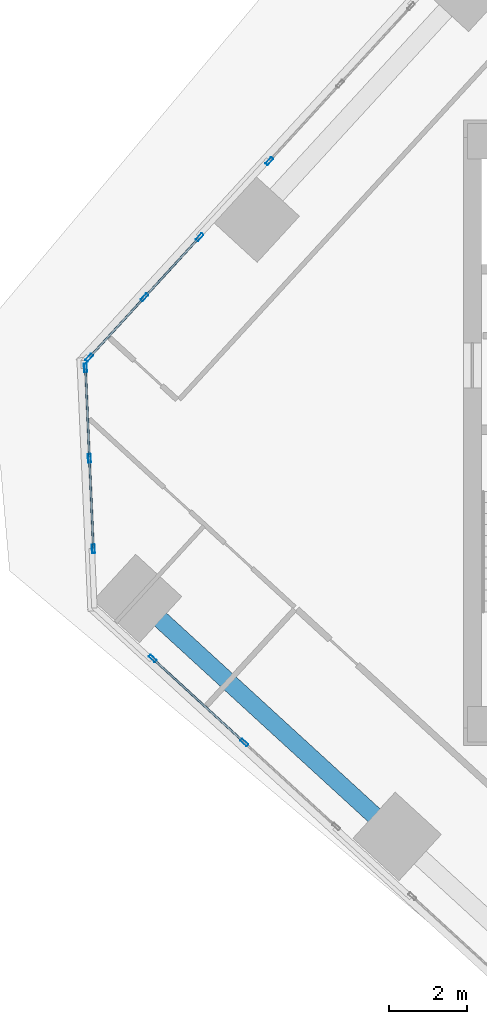
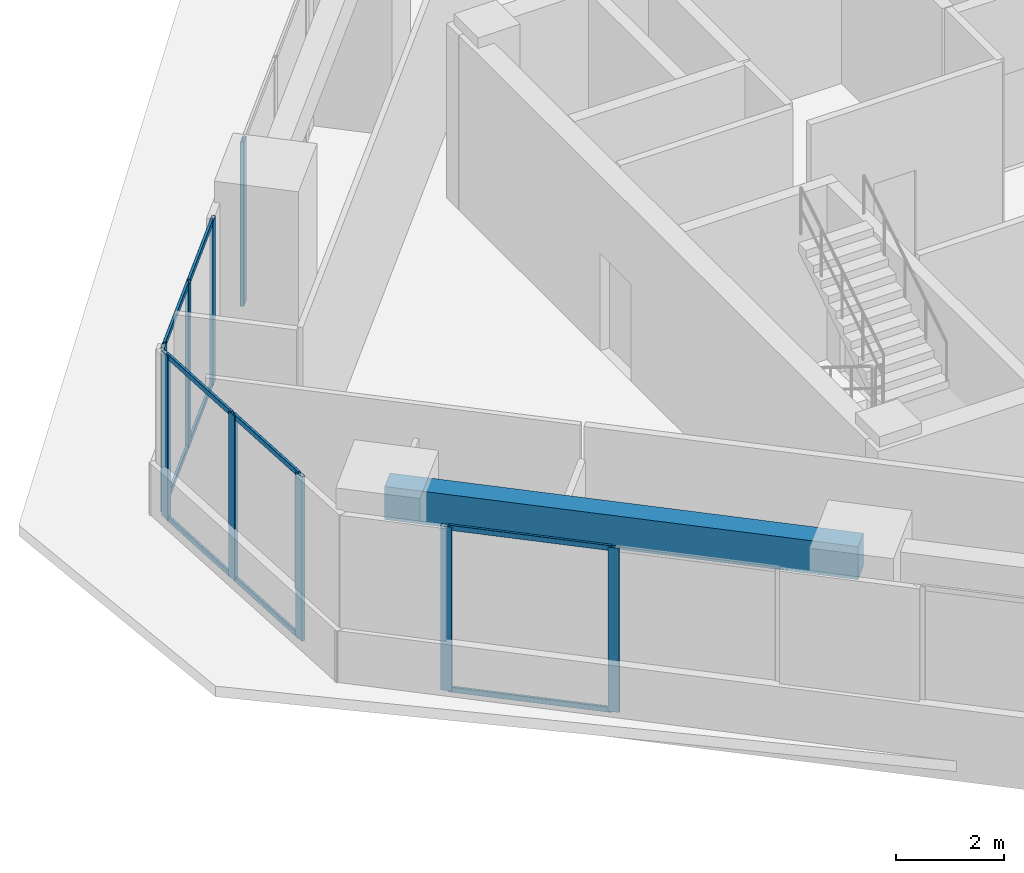
# One storey, part 4 of 19: 19 members, 1 beam, 4 elements without a shape of their own.
"""IFC4 building model written with IfcOpenShell, lengths in metres."""

from ifc_helpers import new_model, si_unit, direction, frame, origin, origin_2d, place, context, subcontext, project, spatial, rectangle, hollow_rectangle, extrude, source, transform, mapped, material, material_profile, profile_set, type_object, element, aggregate, save


model = new_model("IFC4")

# Units and contexts
model_context = context("Model", 3, precision=1e-05, world=origin(), true_north=direction((0.0, 1.0)))
body_context = subcontext(model_context, "Body", "Model", "MODEL_VIEW")
ifc_project = project(units=[si_unit("LENGTHUNIT", "METRE"), si_unit("AREAUNIT", "SQUARE_METRE"), si_unit("VOLUMEUNIT", "CUBIC_METRE"), si_unit("PLANEANGLEUNIT", "RADIAN"), si_unit("MASSUNIT", "GRAM", prefix="KILO")], contexts=[model_context])

# Site, building, storey
site_placement = place(None, origin())
site = spatial("IfcSite", under=ifc_project, at=site_placement, CompositionType="ELEMENT")
building_placement = place(site_placement, origin())
building = spatial("IfcBuilding", under=site, at=building_placement, Name="Torre Montelarca", CompositionType="ELEMENT")
storey_placement = place(building_placement, frame((0.0, 0.0, 229.0)))
storey = spatial("IfcBuildingStorey", under=building, at=storey_placement, Name="L51", CompositionType="ELEMENT", Elevation=229.0)

# Beam
ifc_material_1 = material(Name="Concrete C55/67", Category="concrete")
ifc_material_profile_1 = material_profile(ifc_material_1, rectangle(XDim=0.449951171875, YDim=0.75, at=origin_2d()), Name="RCB450X750", Category="concrete")
ifc_profile_set_1 = profile_set([ifc_material_profile_1], Name="Concrete C55/67")
beam_type = type_object("IfcBeamType", Name="BM-SP-RC750-EXT", PredefinedType="SPANDREL", material=ifc_profile_set_1)
shared_shape_1 = source(origin(), body_context, "Body", "SweptSolid", [
    extrude(rectangle(XDim=0.449951171875, YDim=0.75, at=origin_2d()), origin(), (0.0, 0.0, 1.0), 9.0),
])
beam_placement = place(storey_placement, frame((0.663818359375, 27.763671875, 3.5849609375), z_axis=(0.73727686361, -0.675590724023, 0.0), x_axis=(0.675590724023, 0.73727686361, 0.0)))
element("IfcBeam", 1, at=beam_placement, inside=storey, type_object=beam_type, Name="L51 Grid Girder X 9.0-18.0 at Y=14.8", PredefinedType="SPANDREL", context=body_context, shape_type="MappedRepresentation", body=[
    mapped(shared_shape_1, transform((0.0, 0.0, 0.0), scale=1.0)),
])

# Curtain wall, members
ifc_material_2 = material(Name="Insulated low-E laminated glass", Category="glass")
curtain_wall_type = type_object("IfcCurtainWallType", Name="CW-SYS-Z3", PredefinedType="USERDEFINED", material=ifc_material_2)
curtain_wall_1_placement = place(storey_placement, origin())
curtain_wall_1 = element("IfcCurtainWall", 2, at=curtain_wall_1_placement, inside=storey, type_object=curtain_wall_type, Name="L51 Curtain Wall Run CW-T3-L51-E01-B1", ObjectType="UNITISED GLAZING", PredefinedType="USERDEFINED")
ifc_material_3 = material(Name="Anodised aluminium AA 6063-T6", Category="aluminium")
ifc_material_profile_2 = material_profile(ifc_material_3, hollow_rectangle(XDim=0.074951171875, YDim=0.219970703125, WallThickness=0.0048828125, InnerFilletRadius=0.0048828125, OuterFilletRadius=0.010009765625, at=origin_2d()), Name="ALU75X220X5", Category="aluminium")
ifc_profile_set_2 = profile_set([ifc_material_profile_2], Name="Anodised aluminium AA 6063-T6")
member_type_1 = type_object("IfcMemberType", Name="CWM-ALU220", PredefinedType="MULLION", material=ifc_profile_set_2)
shared_shape_2 = source(origin(), body_context, "Body", "SweptSolid", [
    extrude(hollow_rectangle(XDim=0.074951171875, YDim=0.219970703125, WallThickness=0.0048828125, InnerFilletRadius=0.0048828125, OuterFilletRadius=0.010009765625, at=origin_2d()), origin(), (0.0, 0.0, 1.0), 3.719970703125),
])
member_1_placement = place(storey_placement, frame((1.04736328125, 26.232177734375, 0.0), z_axis=(0.0, 0.0, 1.0), x_axis=(0.675587502621, 0.737279815472, 0.0)))
member_1 = element("IfcMember", 3, at=member_1_placement, type_object=member_type_1, Name="CW mullion 1", PredefinedType="MULLION", context=body_context, shape_type="MappedRepresentation", body=[
    mapped(shared_shape_2, transform((0.0, 0.0, 0.0), scale=1.0)),
])
member_2_placement = place(storey_placement, frame((3.393798828125, 24.08203125, 0.0), z_axis=(0.0, 0.0, 1.0), x_axis=(0.675587502621, 0.737279815472, 0.0)))
member_2 = element("IfcMember", 4, at=member_2_placement, type_object=member_type_1, Name="CW mullion 2", PredefinedType="MULLION", context=body_context, shape_type="MappedRepresentation", body=[
    mapped(shared_shape_2, transform((0.0, 0.0, 0.0), scale=1.0)),
])

# Curtain wall, member
curtain_wall_2_placement = place(storey_placement, origin())
curtain_wall_2 = element("IfcCurtainWall", 5, at=curtain_wall_2_placement, inside=storey, type_object=curtain_wall_type, Name="L51 Curtain Wall Run CW-T3-L51-E10-B2", ObjectType="UNITISED GLAZING", PredefinedType="USERDEFINED")
member_3_placement = place(storey_placement, frame((4.031494140625, 38.943359375, 0.0), z_axis=(0.0, 0.0, 1.0), x_axis=(0.737279266272, -0.675588101971, 0.0)))
member_3 = element("IfcMember", 6, at=member_3_placement, type_object=member_type_1, Name="CW mullion 3", PredefinedType="MULLION", context=body_context, shape_type="MappedRepresentation", body=[
    mapped(shared_shape_2, transform((0.0, 0.0, 0.0), scale=1.0)),
])
aggregate(curtain_wall_2, [member_3])

# Curtain wall, members
curtain_wall_3_placement = place(storey_placement, origin())
curtain_wall_3 = element("IfcCurtainWall", 7, at=curtain_wall_3_placement, inside=storey, type_object=curtain_wall_type, Name="L51 Curtain Wall Run CW-T3-L51-E10-B3", ObjectType="UNITISED GLAZING", PredefinedType="USERDEFINED")
member_4_placement = place(storey_placement, frame((2.251220703125, 37.00048828125, 0.0), z_axis=(0.0, 0.0, 1.0), x_axis=(0.737284872213, -0.675581984074, 0.0)))
member_4 = element("IfcMember", 8, at=member_4_placement, type_object=member_type_1, Name="CW mullion 1", PredefinedType="MULLION", context=body_context, shape_type="MappedRepresentation", body=[
    mapped(shared_shape_2, transform((0.0, 0.0, 0.0), scale=1.0)),
])
member_5_placement = place(storey_placement, frame((0.839599609375, 35.4599609375, 0.0), z_axis=(0.0, 0.0, 1.0), x_axis=(0.737284872213, -0.675581984074, 0.0)))
member_5 = element("IfcMember", 9, at=member_5_placement, type_object=member_type_1, Name="CW mullion 2", PredefinedType="MULLION", context=body_context, shape_type="MappedRepresentation", body=[
    mapped(shared_shape_2, transform((0.0, 0.0, 0.0), scale=1.0)),
])
member_6_placement = place(storey_placement, frame((-0.572265625, 33.919189453125, 0.0), z_axis=(0.0, 0.0, 1.0), x_axis=(0.737284872213, -0.675581984074, 0.0)))
member_6 = element("IfcMember", 10, at=member_6_placement, type_object=member_type_1, Name="CW mullion 3", PredefinedType="MULLION", context=body_context, shape_type="MappedRepresentation", body=[
    mapped(shared_shape_2, transform((0.0, 0.0, 0.0), scale=1.0)),
])

curtain_wall_4_placement = place(storey_placement, origin())
curtain_wall_4 = element("IfcCurtainWall", 11, at=curtain_wall_4_placement, inside=storey, type_object=curtain_wall_type, Name="L51 Curtain Wall Run CW-T3-L51-E11-B1", ObjectType="UNITISED GLAZING", PredefinedType="USERDEFINED")
member_7_placement = place(storey_placement, frame((-0.666748046875, 33.65966796875, 0.0), z_axis=(0.0, 0.0, 1.0), x_axis=(0.999047961569, 0.043625342235, 0.0)))
member_7 = element("IfcMember", 12, at=member_7_placement, type_object=member_type_1, Name="CW mullion 1", PredefinedType="MULLION", context=body_context, shape_type="MappedRepresentation", body=[
    mapped(shared_shape_2, transform((0.0, 0.0, 0.0), scale=1.0)),
])
member_8_placement = place(storey_placement, frame((-0.565673828125, 31.346435546875, 0.0), z_axis=(0.0, 0.0, 1.0), x_axis=(0.999047961569, 0.043625342235, 0.0)))
member_8 = element("IfcMember", 13, at=member_8_placement, type_object=member_type_1, Name="CW mullion 2", PredefinedType="MULLION", context=body_context, shape_type="MappedRepresentation", body=[
    mapped(shared_shape_2, transform((0.0, 0.0, 0.0), scale=1.0)),
])
member_9_placement = place(storey_placement, frame((-0.464599609375, 29.033203125, 0.0), z_axis=(0.0, 0.0, 1.0), x_axis=(0.999047961569, 0.043625342235, 0.0)))
member_9 = element("IfcMember", 14, at=member_9_placement, type_object=member_type_1, Name="CW mullion 3", PredefinedType="MULLION", context=body_context, shape_type="MappedRepresentation", body=[
    mapped(shared_shape_2, transform((0.0, 0.0, 0.0), scale=1.0)),
])

# Member
ifc_material_profile_3 = material_profile(ifc_material_3, hollow_rectangle(XDim=0.054931640625, YDim=0.1201171875, WallThickness=0.00341796875, InnerFilletRadius=0.00341796875, OuterFilletRadius=0.007080078125, at=origin_2d()), Name="ALU55X120X3.5", Category="aluminium")
ifc_profile_set_3 = profile_set([ifc_material_profile_3], Name="Anodised aluminium AA 6063-T6")
member_type_2 = type_object("IfcMemberType", Name="CWT-ALU120", PredefinedType="USERDEFINED", material=ifc_profile_set_3)
shared_shape_3 = source(origin(), body_context, "Body", "SweptSolid", [
    extrude(hollow_rectangle(XDim=0.054931640625, YDim=0.1201171875, WallThickness=0.00341796875, InnerFilletRadius=0.00341796875, OuterFilletRadius=0.007080078125, at=origin_2d()), origin(), (0.0, 0.0, 1.0), 3.107421875),
])
member_10_placement = place(storey_placement, frame((1.0751953125, 26.206787109375, 0.027587890625), z_axis=(0.737271534665, -0.675596539491, 0.0), x_axis=(0.675596539491, 0.737271534665, 0.0)))
member_10 = element("IfcMember", 15, at=member_10_placement, type_object=member_type_2, Name="CW transom 1.1", ObjectType="TRANSOM", PredefinedType="USERDEFINED", context=body_context, shape_type="MappedRepresentation", body=[
    mapped(shared_shape_3, transform((0.0, 0.0, 0.0), scale=1.0)),
])

member_11_placement = place(storey_placement, frame((1.0751953125, 26.206787109375, 3.6923828125), z_axis=(0.737271534665, -0.675596539491, 0.0), x_axis=(0.675596539491, 0.737271534665, 0.0)))
member_11 = element("IfcMember", 16, at=member_11_placement, type_object=member_type_2, Name="CW transom 1.2", ObjectType="TRANSOM", PredefinedType="USERDEFINED", context=body_context, shape_type="MappedRepresentation", body=[
    mapped(shared_shape_3, transform((0.0, 0.0, 0.0), scale=1.0)),
])

aggregate(curtain_wall_1, [member_1, member_2, member_10, member_11])

shared_shape_4 = source(origin(), body_context, "Body", "SweptSolid", [
    extrude(hollow_rectangle(XDim=0.054931640625, YDim=0.1201171875, WallThickness=0.00341796875, InnerFilletRadius=0.00341796875, OuterFilletRadius=0.007080078125, at=origin_2d()), origin(), (0.0, 0.0, 1.0), 2.014404296875),
])
member_12_placement = place(storey_placement, frame((2.225830078125, 36.972900390625, 0.027587890625), z_axis=(-0.675527037594, -0.737335216492, 0.0), x_axis=(0.737335216492, -0.675527037594, 0.0)))
member_12 = element("IfcMember", 17, at=member_12_placement, type_object=member_type_2, Name="CW transom 1.1", ObjectType="TRANSOM", PredefinedType="USERDEFINED", context=body_context, shape_type="MappedRepresentation", body=[
    mapped(shared_shape_4, transform((0.0, 0.0, 0.0), scale=1.0)),
])

member_13_placement = place(storey_placement, frame((2.225830078125, 36.972900390625, 3.6923828125), z_axis=(-0.675527037594, -0.737335216492, 0.0), x_axis=(0.737335216492, -0.675527037594, 0.0)))
member_13 = element("IfcMember", 18, at=member_13_placement, type_object=member_type_2, Name="CW transom 1.2", ObjectType="TRANSOM", PredefinedType="USERDEFINED", context=body_context, shape_type="MappedRepresentation", body=[
    mapped(shared_shape_4, transform((0.0, 0.0, 0.0), scale=1.0)),
])

shared_shape_5 = source(origin(), body_context, "Body", "SweptSolid", [
    extrude(hollow_rectangle(XDim=0.054931640625, YDim=0.1201171875, WallThickness=0.00341796875, InnerFilletRadius=0.00341796875, OuterFilletRadius=0.007080078125, at=origin_2d()), origin(), (0.0, 0.0, 1.0), 2.014892578125),
])
member_14_placement = place(storey_placement, frame((0.814208984375, 35.432373046875, 0.027587890625), z_axis=(-0.675532559778, -0.737330157175, 0.0), x_axis=(0.737330157175, -0.675532559778, 0.0)))
member_14 = element("IfcMember", 19, at=member_14_placement, type_object=member_type_2, Name="CW transom 2.1", ObjectType="TRANSOM", PredefinedType="USERDEFINED", context=body_context, shape_type="MappedRepresentation", body=[
    mapped(shared_shape_5, transform((0.0, 0.0, 0.0), scale=1.0)),
])

member_15_placement = place(storey_placement, frame((0.814208984375, 35.432373046875, 3.6923828125), z_axis=(-0.675532559778, -0.737330157175, 0.0), x_axis=(0.737330157175, -0.675532559778, 0.0)))
member_15 = element("IfcMember", 20, at=member_15_placement, type_object=member_type_2, Name="CW transom 2.2", ObjectType="TRANSOM", PredefinedType="USERDEFINED", context=body_context, shape_type="MappedRepresentation", body=[
    mapped(shared_shape_5, transform((0.0, 0.0, 0.0), scale=1.0)),
])

aggregate(curtain_wall_3, [member_4, member_5, member_6, member_12, member_13, member_14, member_15])

shared_shape_6 = source(origin(), body_context, "Body", "SweptSolid", [
    extrude(hollow_rectangle(XDim=0.054931640625, YDim=0.1201171875, WallThickness=0.00341796875, InnerFilletRadius=0.00341796875, OuterFilletRadius=0.007080078125, at=origin_2d()), origin(), (0.0, 0.0, 1.0), 2.240478515625),
])
member_16_placement = place(storey_placement, frame((-0.6650390625, 33.622314453125, 0.027587890625), z_axis=(0.043588550065, -0.999049567491, 0.0), x_axis=(0.999049567491, 0.043588550065, 0.0)))
member_16 = element("IfcMember", 21, at=member_16_placement, type_object=member_type_2, Name="CW transom 1.1", ObjectType="TRANSOM", PredefinedType="USERDEFINED", context=body_context, shape_type="MappedRepresentation", body=[
    mapped(shared_shape_6, transform((0.0, 0.0, 0.0), scale=1.0)),
])

member_17_placement = place(storey_placement, frame((-0.6650390625, 33.622314453125, 3.6923828125), z_axis=(0.043588550065, -0.999049567491, 0.0), x_axis=(0.999049567491, 0.043588550065, 0.0)))
member_17 = element("IfcMember", 22, at=member_17_placement, type_object=member_type_2, Name="CW transom 1.2", ObjectType="TRANSOM", PredefinedType="USERDEFINED", context=body_context, shape_type="MappedRepresentation", body=[
    mapped(shared_shape_6, transform((0.0, 0.0, 0.0), scale=1.0)),
])

shared_shape_7 = source(origin(), body_context, "Body", "SweptSolid", [
    extrude(hollow_rectangle(XDim=0.054931640625, YDim=0.1201171875, WallThickness=0.00341796875, InnerFilletRadius=0.00341796875, OuterFilletRadius=0.007080078125, at=origin_2d()), origin(), (0.0, 0.0, 1.0), 2.24072265625),
])
member_18_placement = place(storey_placement, frame((-0.56396484375, 31.30908203125, 0.027587890625), z_axis=(0.043583805191, -0.999049774498, 0.0), x_axis=(0.999049774498, 0.043583805191, 0.0)))
member_18 = element("IfcMember", 23, at=member_18_placement, type_object=member_type_2, Name="CW transom 2.1", ObjectType="TRANSOM", PredefinedType="USERDEFINED", context=body_context, shape_type="MappedRepresentation", body=[
    mapped(shared_shape_7, transform((0.0, 0.0, 0.0), scale=1.0)),
])

member_19_placement = place(storey_placement, frame((-0.56396484375, 31.30908203125, 3.6923828125), z_axis=(0.043583805191, -0.999049774498, 0.0), x_axis=(0.999049774498, 0.043583805191, 0.0)))
member_19 = element("IfcMember", 24, at=member_19_placement, type_object=member_type_2, Name="CW transom 2.2", ObjectType="TRANSOM", PredefinedType="USERDEFINED", context=body_context, shape_type="MappedRepresentation", body=[
    mapped(shared_shape_7, transform((0.0, 0.0, 0.0), scale=1.0)),
])

aggregate(curtain_wall_4, [member_7, member_8, member_9, member_16, member_17, member_18, member_19])

save(model, "model.ifc")
